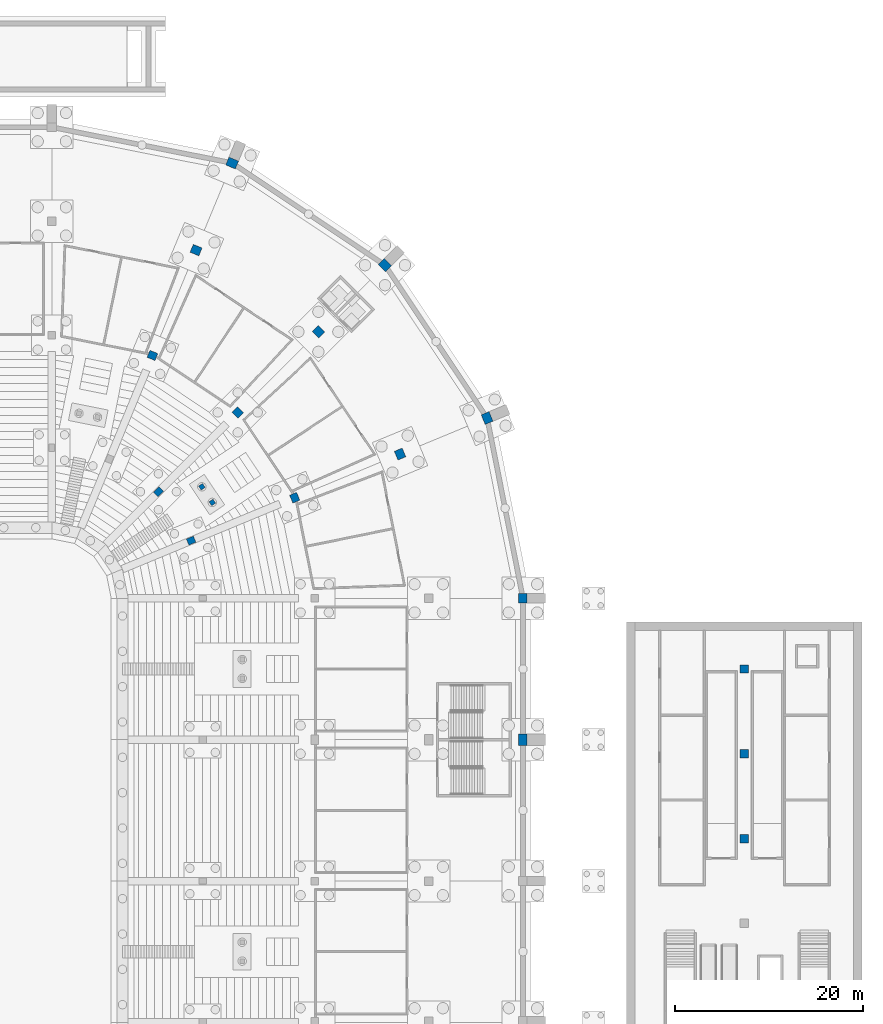
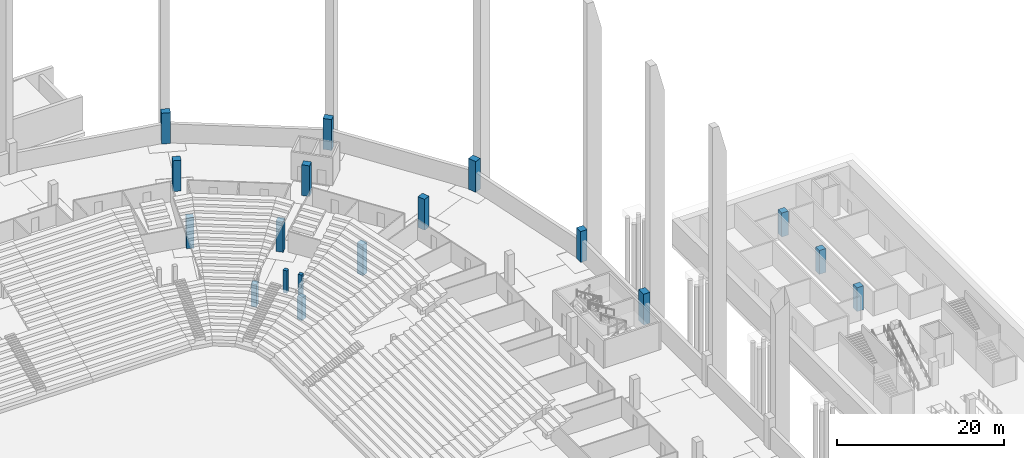
# One storey, part 13 of 115: 18 columns.
"""IFC4 building model written with IfcOpenShell, lengths in metres."""

from ifc_helpers import new_model, si_unit, direction, frame, origin, origin_2d, place, context, subcontext, project, spatial, rectangle, extrude, material, material_profile, profile_set, type_object, element, save


model = new_model("IFC4")

# Units and contexts
model_context = context("Model", 3, precision=1e-05, world=origin(), true_north=direction((0.0, 1.0)))
body_context = subcontext(model_context, "Body", "Model", "MODEL_VIEW")
ifc_project = project(units=[si_unit("LENGTHUNIT", "METRE"), si_unit("AREAUNIT", "SQUARE_METRE"), si_unit("VOLUMEUNIT", "CUBIC_METRE"), si_unit("PLANEANGLEUNIT", "RADIAN"), si_unit("MASSUNIT", "GRAM", prefix="KILO")], contexts=[model_context])

# Site, building, storey
site_placement = place(None, origin())
site = spatial("IfcSite", under=ifc_project, at=site_placement, CompositionType="ELEMENT")
building_placement = place(site_placement, origin())
building = spatial("IfcBuilding", under=site, at=building_placement, Name="Ogive Plaza Stadium", CompositionType="ELEMENT")
storey_placement = place(building_placement, frame((0.0, 0.0, -4.5)))
storey = spatial("IfcBuildingStorey", under=building, at=storey_placement, Name="B1", CompositionType="ELEMENT", Elevation=-4.5)

# Columns
ifc_material_1 = material(Name="Concrete C40/50", Category="concrete")
ifc_material_profile_1 = material_profile(ifc_material_1, rectangle(XDim=0.699951171875, YDim=0.800048828125, at=origin_2d()), Name="RC 700x800")
ifc_profile_set_1 = profile_set([ifc_material_profile_1], Name="Concrete C40/50")
column_type_1 = type_object("IfcColumnType", Name="RC column F1 corner 700x800", PredefinedType="COLUMN", material=ifc_profile_set_1)
for number, where, z_axis, x_axis, name in (
    (1, (45.313720703125, 63.813720703125, 0.0), (0.0, 0.0, 1.0), (-0.707106781187, 0.707106781187, 0.0), "Column F1 R39 B1"),
    (2, (48.781982421875, 58.623046875, 0.0), (0.0, 0.0, 1.0), (-0.382683432365, 0.923879532511, 0.0), "Column F1 R40 B1"),
):
    element("IfcColumn", number, at=place(storey_placement, frame(where, z_axis=z_axis, x_axis=x_axis)), inside=storey, type_object=column_type_1, Name=name, PredefinedType="COLUMN", context=body_context, shape_type="SweptSolid", body=[
        extrude(rectangle(XDim=0.699951171875, YDim=0.800048828125, at=origin_2d()), origin(), (0.0, 0.0, 1.0), 3.323486328125),
    ])
ifc_material_2 = material(Name="Concrete C40/50", Category="concrete")
ifc_material_profile_2 = material_profile(ifc_material_2, rectangle(XDim=0.89990234375, YDim=0.800048828125, at=origin_2d()), Name="RC 900x800")
ifc_profile_set_2 = profile_set([ifc_material_profile_2], Name="Concrete C40/50")
column_type_2 = type_object("IfcColumnType", Name="RC column F3 corner 900x800", PredefinedType="COLUMN", material=ifc_profile_set_2)
for number, where, z_axis, x_axis, name in (
    (3, (44.6767578125, 78.276123046875, 0.0), (0.0, 0.0, 1.0), (-0.923879532511, 0.382683432365, 0.0), "Column F3 R38 B1"),
    (4, (53.728271484375, 72.228271484375, 0.0), (0.0, 0.0, 1.0), (-0.707106781187, 0.707106781187, 0.0), "Column F3 R39 B1"),
    (5, (59.776123046875, 63.1767578125, 0.0), (0.0, 0.0, 1.0), (-0.382683432365, 0.923879532511, 0.0), "Column F3 R40 B1"),
):
    element("IfcColumn", number, at=place(storey_placement, frame(where, z_axis=z_axis, x_axis=x_axis)), inside=storey, type_object=column_type_2, Name=name, PredefinedType="COLUMN", context=body_context, shape_type="SweptSolid", body=[
        extrude(rectangle(XDim=0.89990234375, YDim=0.800048828125, at=origin_2d()), origin(), (0.0, 0.0, 1.0), 4.5),
    ])
ifc_material_3 = material(Name="Concrete C40/50", Category="concrete")
ifc_material_profile_3 = material_profile(ifc_material_3, rectangle(XDim=1.0, YDim=0.89990234375, at=origin_2d()), Name="RC 1000x900")
ifc_profile_set_3 = profile_set([ifc_material_profile_3], Name="Concrete C40/50")
column_type_3 = type_object("IfcColumnType", Name="RC column F4 corner 1000x900", PredefinedType="COLUMN", material=ifc_profile_set_3)
for number, where, z_axis, x_axis, name in (
    (6, (49.307373046875, 89.455078125, 0.0), (0.0, 0.0, 1.0), (-0.923879532511, 0.382683432365, 0.0), "Column F4 R38 B1"),
    (7, (62.2841796875, 80.7841796875, 0.0), (0.0, 0.0, 1.0), (-0.707106781187, 0.707106781187, 0.0), "Column F4 R39 B1"),
    (8, (70.955078125, 67.807373046875, 0.0), (0.0, 0.0, 1.0), (-0.382683432365, 0.923879532511, 0.0), "Column F4 R40 B1"),
):
    element("IfcColumn", number, at=place(storey_placement, frame(where, z_axis=z_axis, x_axis=x_axis)), inside=storey, type_object=column_type_3, Name=name, PredefinedType="COLUMN", context=body_context, shape_type="SweptSolid", body=[
        extrude(rectangle(XDim=1.0, YDim=0.89990234375, at=origin_2d()), origin(), (0.0, 0.0, 1.0), 4.5),
    ])
ifc_material_4 = material(Name="Concrete C40/50", Category="concrete")
ifc_material_profile_4 = material_profile(ifc_material_4, rectangle(XDim=1.199951171875, YDim=0.89990234375, at=origin_2d()), Name="RC 1200x900")
ifc_profile_set_4 = profile_set([ifc_material_profile_4], Name="Concrete C40/50")
column_type_4 = type_object("IfcColumnType", Name="RC column F5 core 1200x900", PredefinedType="COLUMN", material=ifc_profile_set_4)
column_1_placement = place(storey_placement, frame((84.0, 37.5, 0.0), z_axis=(0.0, 0.0, 1.0), x_axis=(0.0, 1.0, 0.0)))
element("IfcColumn", 9, at=column_1_placement, inside=storey, type_object=column_type_4, Name="Column F5 R02 B1", PredefinedType="COLUMN", context=body_context, shape_type="SweptSolid", body=[
    extrude(rectangle(XDim=1.199951171875, YDim=0.89990234375, at=origin_2d()), origin(), (0.0, 0.0, 1.0), 4.5),
])
ifc_material_5 = material(Name="Concrete C40/50", Category="concrete")
ifc_material_profile_5 = material_profile(ifc_material_5, rectangle(XDim=1.10009765625, YDim=0.89990234375, at=origin_2d()), Name="RC 1100x900")
ifc_profile_set_5 = profile_set([ifc_material_profile_5], Name="Concrete C40/50")
column_type_5 = type_object("IfcColumnType", Name="RC column F5 corner 1100x900", PredefinedType="COLUMN", material=ifc_profile_set_5)
for number, where, z_axis, x_axis, name in (
    (10, (53.13427734375, 98.694091796875, 0.0), (0.0, 0.0, 1.0), (-0.923879532511, 0.382683432365, 0.0), "Column F5 R38 B1"),
    (11, (69.355224609375, 87.855224609375, 0.0), (0.0, 0.0, 1.0), (-0.707106781187, 0.707106781187, 0.0), "Column F5 R39 B1"),
    (12, (80.194091796875, 71.63427734375, 0.0), (0.0, 0.0, 1.0), (-0.382683432365, 0.923879532511, 0.0), "Column F5 R40 B1"),
):
    element("IfcColumn", number, at=place(storey_placement, frame(where, z_axis=z_axis, x_axis=x_axis)), inside=storey, type_object=column_type_5, Name=name, PredefinedType="COLUMN", context=body_context, shape_type="SweptSolid", body=[
        extrude(rectangle(XDim=1.10009765625, YDim=0.89990234375, at=origin_2d()), origin(), (0.0, 0.0, 1.0), 4.5),
    ])
ifc_material_6 = material(Name="Concrete C40/50", Category="concrete")
ifc_material_profile_6 = material_profile(ifc_material_6, rectangle(XDim=1.0, YDim=0.89990234375, at=origin_2d()), Name="RC 1000x900")
ifc_profile_set_6 = profile_set([ifc_material_profile_6], Name="Concrete C40/50")
column_type_6 = type_object("IfcColumnType", Name="RC column F5 typical 1000x900", PredefinedType="COLUMN", material=ifc_profile_set_6)
column_2_placement = place(storey_placement, frame((84.0, 52.5, 0.0), z_axis=(0.0, 0.0, 1.0), x_axis=(0.0, 1.0, 0.0)))
element("IfcColumn", 13, at=column_2_placement, inside=storey, type_object=column_type_6, Name="Column F5 R01 B1", PredefinedType="COLUMN", context=body_context, shape_type="SweptSolid", body=[
    extrude(rectangle(XDim=1.0, YDim=0.89990234375, at=origin_2d()), origin(), (0.0, 0.0, 1.0), 4.5),
])
ifc_material_7 = material(Name="Concrete C40/50", Category="concrete")
ifc_material_profile_7 = material_profile(ifc_material_7, rectangle(XDim=0.5, YDim=0.5, at=origin_2d()), Name="RC 500x500")
ifc_profile_set_7 = profile_set([ifc_material_profile_7], Name="Concrete C40/50")
column_type_7 = type_object("IfcColumnType", Name="RC column vomitory 500x500", PredefinedType="COLUMN", material=ifc_profile_set_7)
for number, where, z_axis, x_axis, name in (
    (14, (51.028564453125, 62.67529296875, 0.0), (0.0, 0.0, 1.0), (-0.55557023302, 0.831469612303, 0.0), "Column F1V B39 1"),
    (15, (49.91748046875, 64.33837890625, 0.0), (0.0, 0.0, 1.0), (-0.55557023302, 0.831469612303, 0.0), "Column F1V B39 2"),
):
    element("IfcColumn", number, at=place(storey_placement, frame(where, z_axis=z_axis, x_axis=x_axis)), inside=storey, type_object=column_type_7, Name=name, PredefinedType="COLUMN", context=body_context, shape_type="SweptSolid", body=[
        extrude(rectangle(XDim=0.5, YDim=0.5, at=origin_2d()), origin(), (0.0, 0.0, 1.0), 3.2900390625),
    ])
ifc_material_8 = material(Name="Concrete C40/50", Category="concrete")
ifc_material_profile_8 = material_profile(ifc_material_8, rectangle(XDim=0.89990234375, YDim=0.89990234375, at=origin_2d()), Name="Station column RC 900")
ifc_profile_set_8 = profile_set([ifc_material_profile_8], Name="Concrete C40/50")
column_type_8 = type_object("IfcColumnType", Name="Station column RC 900", PredefinedType="COLUMN", material=ifc_profile_set_8)
for number, where, z_axis, x_axis, name in (
    (16, (107.5, 27.0, 0.0), (0.0, 0.0, 1.0), (1.0, 0.0, 0.0), "Station column 9 B1"),
    (17, (107.5, 36.0, 0.0), (0.0, 0.0, 1.0), (1.0, 0.0, 0.0), "Station column 10 B1"),
    (18, (107.5, 45.0, 0.0), (0.0, 0.0, 1.0), (1.0, 0.0, 0.0), "Station column 11 B1"),
):
    element("IfcColumn", number, at=place(storey_placement, frame(where, z_axis=z_axis, x_axis=x_axis)), inside=storey, type_object=column_type_8, Name=name, PredefinedType="COLUMN", context=body_context, shape_type="SweptSolid", body=[
        extrude(rectangle(XDim=0.89990234375, YDim=0.89990234375, at=origin_2d()), origin(), (0.0, 0.0, 1.0), 3.5),
    ])

save(model, "model.ifc")
